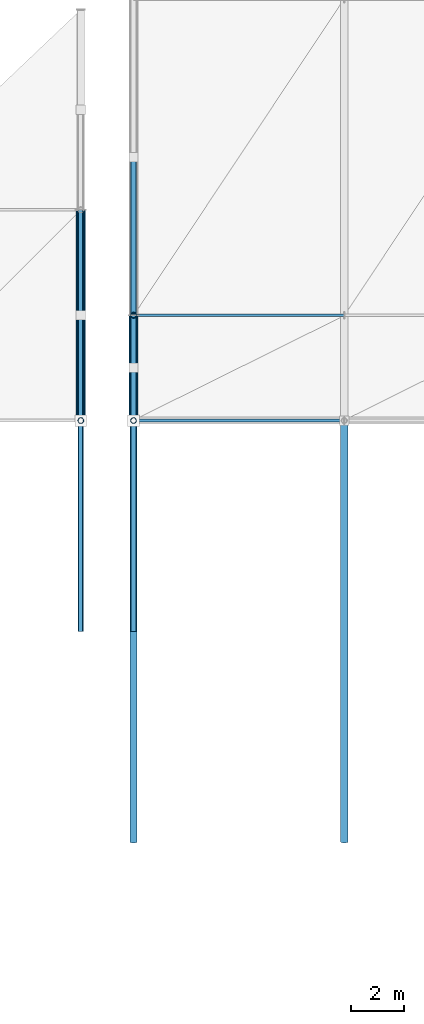
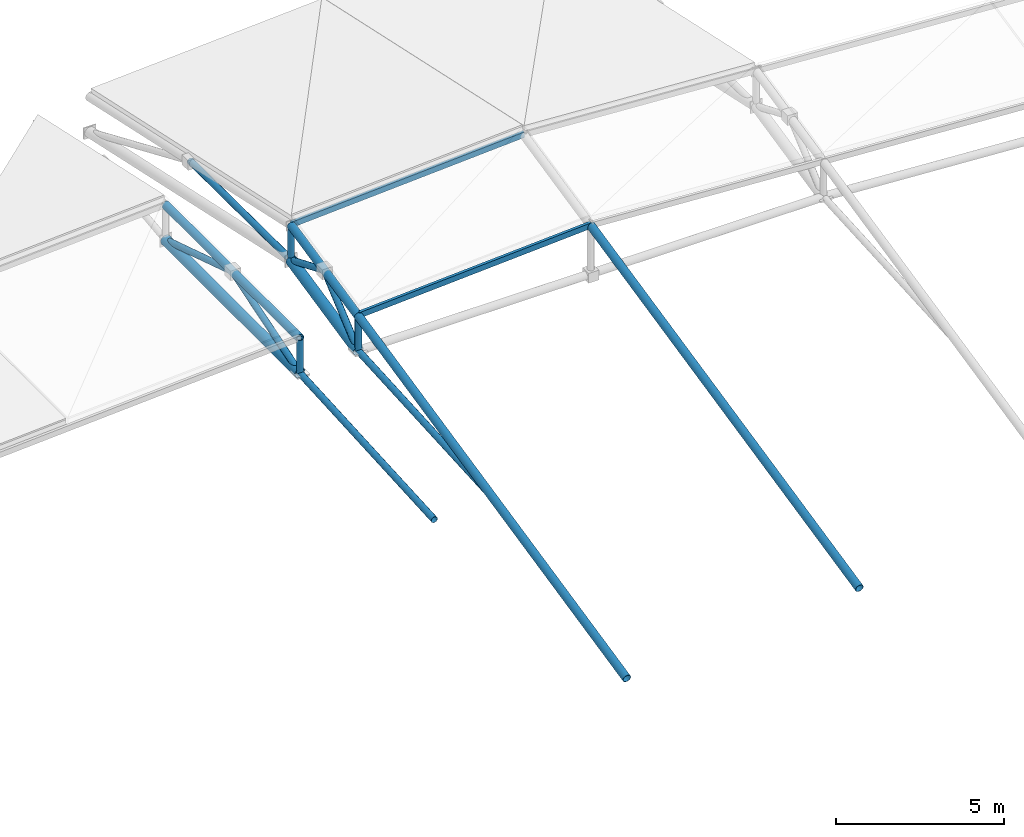
# One storey, part 9 of 27: 16 members, 2 beams.
"""IFC4 building model written with IfcOpenShell, lengths in metres."""

from ifc_helpers import new_model, si_unit, direction, frame, origin, origin_2d, place, context, subcontext, project, spatial, hollow_rectangle, hollow_circle, extrude, material, material_profile, profile_set, type_object, element, save


model = new_model("IFC4")

# Units and contexts
model_context = context("Model", 3, precision=1e-05, world=origin(), true_north=direction((0.0, 1.0)))
body_context = subcontext(model_context, "Body", "Model", "MODEL_VIEW")
ifc_project = project(units=[si_unit("LENGTHUNIT", "METRE"), si_unit("AREAUNIT", "SQUARE_METRE"), si_unit("VOLUMEUNIT", "CUBIC_METRE"), si_unit("PLANEANGLEUNIT", "RADIAN"), si_unit("MASSUNIT", "GRAM", prefix="KILO")], contexts=[model_context])

# Site, building, storey
site_placement = place(None, origin())
site = spatial("IfcSite", under=ifc_project, at=site_placement, CompositionType="ELEMENT")
building_placement = place(site_placement, origin())
building = spatial("IfcBuilding", under=site, at=building_placement, Name="Drelvath Fold Interchange", CompositionType="ELEMENT")
storey_placement = place(building_placement, frame((0.0, 0.0, 19.800048828125)))
storey = spatial("IfcBuildingStorey", under=building, at=storey_placement, Name="L04", CompositionType="ELEMENT", Elevation=19.800048828125)

# Members
ifc_material = material(Name="Steel ASTM A500 Grade C", Category="steel")
ifc_material_profile_1 = material_profile(ifc_material, hollow_rectangle(XDim=0.10205078125, YDim=0.202880859375, WallThickness=0.00732421875, at=origin_2d()), Name="HSS8X4X5/16")
ifc_profile_set_1 = profile_set([ifc_material_profile_1], Name="Steel ASTM A500 Grade C")
member_type_1 = type_object("IfcMemberType", Name="PR-HSS203", PredefinedType="PURLIN", material=ifc_profile_set_1)
for number, where, z_axis, x_axis, name in (
    (1, (102.0, 43.0, 1.72705078125), (0.998197699277, 0.0, 0.060011275256), (0.0, 1.0, 0.0), "L04 Space frame canopy purlin PR-HSS203"),
    (2, (102.0, 47.0, 2.598876953125), (0.998197699277, 0.0, 0.060011275256), (0.0, 1.0, 0.0), "L04 Space frame canopy purlin PR-HSS203"),
):
    element("IfcMember", number, at=place(storey_placement, frame(where, z_axis=z_axis, x_axis=x_axis)), inside=storey, type_object=member_type_1, Name=name, PredefinedType="PURLIN", context=body_context, shape_type="SweptSolid", body=[
        extrude(hollow_rectangle(XDim=0.10205078125, YDim=0.202880859375, WallThickness=0.00732421875, at=origin_2d()), origin(), (0.0, 0.0, 1.0), 8.014404296875),
    ])
ifc_material_profile_2 = material_profile(ifc_material, hollow_circle(Radius=0.136474609375, WallThickness=0.01171875, at=origin_2d()), Name="HSS10.750X0.500")
ifc_profile_set_2 = profile_set([ifc_material_profile_2], Name="Steel ASTM A500 Grade C")
member_type_2 = type_object("IfcMemberType", Name="SF-CHD273", PredefinedType="CHORD", material=ifc_profile_set_2)
member_1_placement = place(storey_placement, frame((100.0, 43.0, 1.574951171875), z_axis=(0.0, 1.0, 0.0), x_axis=(-1.0, 0.0, 0.0)))
element("IfcMember", 3, at=member_1_placement, inside=storey, type_object=member_type_2, Name="L04 Space frame roof truss upper chord SF-CHD273", PredefinedType="CHORD", context=body_context, shape_type="SweptSolid", body=[
    extrude(hollow_circle(Radius=0.136474609375, WallThickness=0.01171875, at=origin_2d()), origin(), (0.0, 0.0, 1.0), 8.0),
])
member_2_placement = place(storey_placement, frame((102.0, 27.0, -1.79296875), z_axis=(0.0, 0.977052272987, 0.212999661624), x_axis=(-1.0, 0.0, 0.0)))
element("IfcMember", 4, at=member_2_placement, inside=storey, type_object=member_type_2, Name="L04 Space frame roof truss upper chord SF-CHD273", PredefinedType="CHORD", context=body_context, shape_type="SweptSolid", body=[
    extrude(hollow_circle(Radius=0.136474609375, WallThickness=0.01171875, at=origin_2d()), origin(), (0.0, 0.0, 1.0), 16.375732421875),
])
member_3_placement = place(storey_placement, frame((102.0, 43.0, 1.695068359375), z_axis=(0.0, 0.977061580131, 0.212956964273), x_axis=(-1.0, 0.0, 0.0)))
element("IfcMember", 5, at=member_3_placement, inside=storey, type_object=member_type_2, Name="L04 Space frame roof truss upper chord SF-CHD273", PredefinedType="CHORD", context=body_context, shape_type="SweptSolid", body=[
    extrude(hollow_circle(Radius=0.136474609375, WallThickness=0.01171875, at=origin_2d()), origin(), (0.0, 0.0, 1.0), 4.093994140625),
])
member_4_placement = place(storey_placement, frame((110.0, 27.0, -1.31201171875), z_axis=(0.0, 0.977052272987, 0.212999661624), x_axis=(-1.0, 0.0, 0.0)))
element("IfcMember", 6, at=member_4_placement, inside=storey, type_object=member_type_2, Name="L04 Space frame crown chord SF-CHD273", PredefinedType="CHORD", context=body_context, shape_type="SweptSolid", body=[
    extrude(hollow_circle(Radius=0.136474609375, WallThickness=0.01171875, at=origin_2d()), origin(), (0.0, 0.0, 1.0), 16.375732421875),
])

# Beams
ifc_material_profile_3 = material_profile(ifc_material, hollow_circle(Radius=0.177978515625, WallThickness=0.01171875, at=origin_2d()), Name="HSS14.000X0.500")
ifc_profile_set_3 = profile_set([ifc_material_profile_3], Name="Steel ASTM A500 Grade C")
beam_type = type_object("IfcBeamType", Name="SF-RIB356", PredefinedType="BEAM", material=ifc_profile_set_3)
beam_1_placement = place(storey_placement, frame((100.0, 43.0, 0.304931640625), z_axis=(0.0, 1.0, 0.0), x_axis=(-1.0, 0.0, 0.0)))
element("IfcBeam", 7, at=beam_1_placement, inside=storey, type_object=beam_type, Name="Space frame roof truss main rib chord WEST", PredefinedType="BEAM", context=body_context, shape_type="SweptSolid", body=[
    extrude(hollow_circle(Radius=0.177978515625, WallThickness=0.01171875, at=origin_2d()), origin(), (0.0, 0.0, 1.0), 8.0),
])
beam_2_placement = place(storey_placement, frame((102.0, 43.0, 0.425048828125), z_axis=(0.0, 0.977061580131, 0.212956964273), x_axis=(-1.0, 0.0, 0.0)))
element("IfcBeam", 8, at=beam_2_placement, inside=storey, type_object=beam_type, Name="Space frame roof truss main rib chord EAST", PredefinedType="BEAM", context=body_context, shape_type="SweptSolid", body=[
    extrude(hollow_circle(Radius=0.177978515625, WallThickness=0.01171875, at=origin_2d()), origin(), (0.0, 0.0, 1.0), 4.093994140625),
])

# Members
ifc_material_profile_4 = material_profile(ifc_material, hollow_circle(Radius=0.109619140625, WallThickness=0.0087890625, at=origin_2d()), Name="HSS8.625X0.375")
ifc_profile_set_4 = profile_set([ifc_material_profile_4], Name="Steel ASTM A500 Grade C")
member_type_3 = type_object("IfcMemberType", Name="SF-WEB219", PredefinedType="BRACE", material=ifc_profile_set_4)
member_5_placement = place(storey_placement, frame((100.0, 35.0, -0.1689453125), z_axis=(0.0, 0.998250233211, 0.059130972371), x_axis=(-1.0, 0.0, 0.0)))
element("IfcMember", 9, at=member_5_placement, inside=storey, type_object=member_type_3, Name="L04 Space frame roof truss web brace SF-WEB219", PredefinedType="BRACE", context=body_context, shape_type="SweptSolid", body=[
    extrude(hollow_circle(Radius=0.109619140625, WallThickness=0.0087890625, at=origin_2d()), origin(), (0.0, 0.0, 1.0), 8.013916015625),
])
for number, where, z_axis, x_axis, name in (
    (10, (100.0, 43.0, 0.304931640625), (0.0, 0.953112016541, 0.302617719119), (-1.0, 0.0, 0.0), "L04 Space frame roof truss web brace SF-WEB219"),
    (11, (100.0, 47.0, 1.574951171875), (0.0, 0.953112016541, -0.302617719119), (-1.0, 0.0, 0.0), "L04 Space frame roof truss web brace SF-WEB219"),
):
    element("IfcMember", number, at=place(storey_placement, frame(where, z_axis=z_axis, x_axis=x_axis)), inside=storey, type_object=member_type_3, Name=name, PredefinedType="BRACE", context=body_context, shape_type="SweptSolid", body=[
        extrude(hollow_circle(Radius=0.109619140625, WallThickness=0.0087890625, at=origin_2d()), origin(), (0.0, 0.0, 1.0), 4.19677734375),
    ])
member_6_placement = place(storey_placement, frame((100.0, 43.0, 0.304931640625), z_axis=(0.0, 0.0, 1.0), x_axis=(1.0, 0.0, 0.0)))
element("IfcMember", 12, at=member_6_placement, inside=storey, type_object=member_type_3, Name="L04 Space frame roof truss web brace SF-WEB219", PredefinedType="BRACE", context=body_context, shape_type="SweptSolid", body=[
    extrude(hollow_circle(Radius=0.109619140625, WallThickness=0.0087890625, at=origin_2d()), origin(), (0.0, 0.0, 1.0), 1.27001953125),
])
member_7_placement = place(storey_placement, frame((102.0, 35.0, -0.049072265625), z_axis=(0.0, 0.998248434528, 0.059161329952), x_axis=(-1.0, 0.0, 0.0)))
element("IfcMember", 13, at=member_7_placement, inside=storey, type_object=member_type_3, Name="L04 Space frame roof truss web brace SF-WEB219", PredefinedType="BRACE", context=body_context, shape_type="SweptSolid", body=[
    extrude(hollow_circle(Radius=0.109619140625, WallThickness=0.0087890625, at=origin_2d()), origin(), (0.0, 0.0, 1.0), 8.013916015625),
])
member_8_placement = place(storey_placement, frame((102.0, 43.0, 0.425048828125), z_axis=(0.0, 0.760847439174, 0.648930793153), x_axis=(-1.0, 0.0, 0.0)))
element("IfcMember", 14, at=member_8_placement, inside=storey, type_object=member_type_3, Name="L04 Space frame roof truss web brace SF-WEB219", PredefinedType="BRACE", context=body_context, shape_type="SweptSolid", body=[
    extrude(hollow_circle(Radius=0.109619140625, WallThickness=0.0087890625, at=origin_2d()), origin(), (0.0, 0.0, 1.0), 2.628662109375),
])
member_9_placement = place(storey_placement, frame((102.0, 45.0, 2.130859375), z_axis=(0.0, 0.922970220346, -0.38487137118), x_axis=(-1.0, 0.0, 0.0)))
element("IfcMember", 15, at=member_9_placement, inside=storey, type_object=member_type_3, Name="L04 Space frame roof truss web brace SF-WEB219", PredefinedType="BRACE", context=body_context, shape_type="SweptSolid", body=[
    extrude(hollow_circle(Radius=0.109619140625, WallThickness=0.0087890625, at=origin_2d()), origin(), (0.0, 0.0, 1.0), 2.1669921875),
])
member_10_placement = place(storey_placement, frame((102.0, 47.0, 1.296875), z_axis=(0.0, 0.999980111682, -0.006306840711), x_axis=(-1.0, 0.0, 0.0)))
element("IfcMember", 16, at=member_10_placement, inside=storey, type_object=member_type_3, Name="L04 Space frame roof truss web brace SF-WEB219", PredefinedType="BRACE", context=body_context, shape_type="SweptSolid", body=[
    extrude(hollow_circle(Radius=0.109619140625, WallThickness=0.0087890625, at=origin_2d()), origin(), (0.0, 0.0, 1.0), 6.0),
])
for number, where, z_axis, x_axis, name in (
    (17, (102.0, 43.0, 0.425048828125), (0.0, 0.0, 1.0), (1.0, 0.0, 0.0), "L04 Space frame roof truss web brace SF-WEB219"),
    (18, (102.0, 47.0, 1.296875), (0.0, 0.0, 1.0), (1.0, 0.0, 0.0), "L04 Space frame roof truss web brace SF-WEB219"),
):
    element("IfcMember", number, at=place(storey_placement, frame(where, z_axis=z_axis, x_axis=x_axis)), inside=storey, type_object=member_type_3, Name=name, PredefinedType="BRACE", context=body_context, shape_type="SweptSolid", body=[
        extrude(hollow_circle(Radius=0.109619140625, WallThickness=0.0087890625, at=origin_2d()), origin(), (0.0, 0.0, 1.0), 1.27001953125),
    ])

save(model, "model.ifc")
